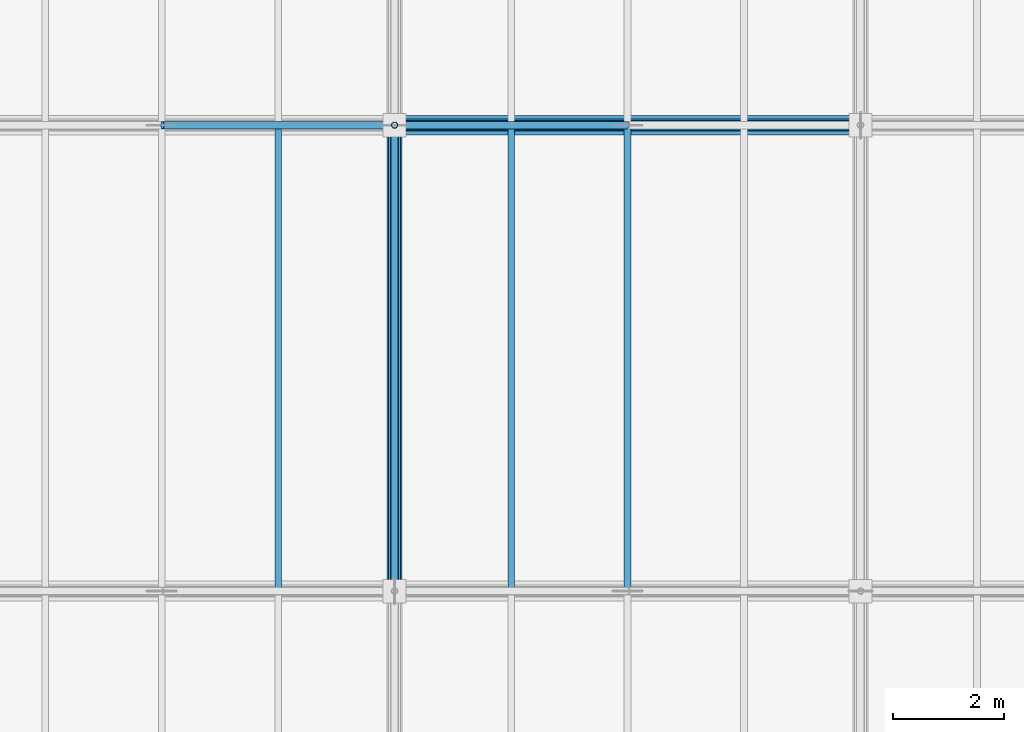
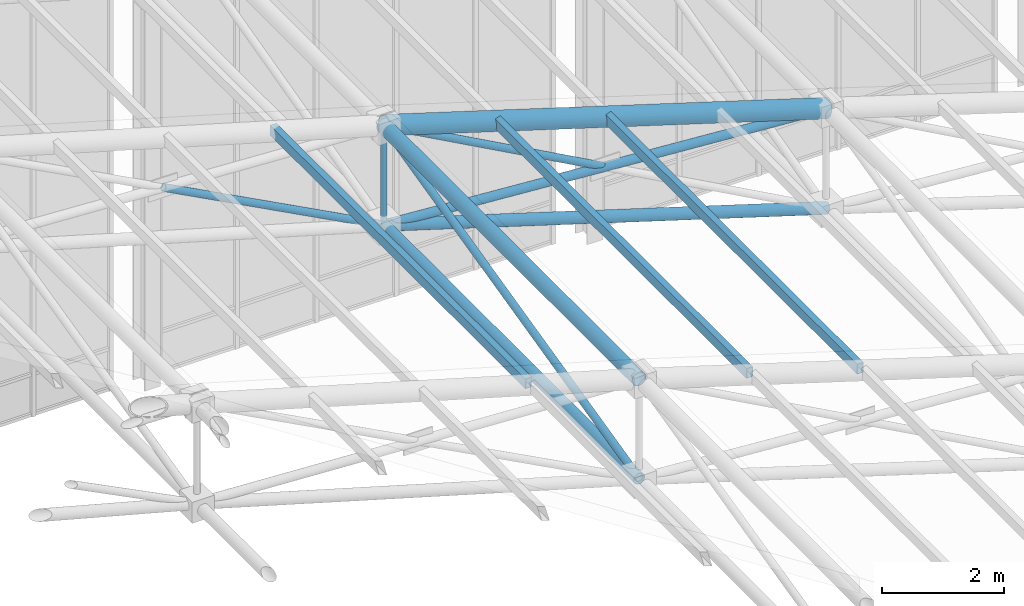
# One storey, part 78 of 144: 12 members.
"""IFC4 building model written with IfcOpenShell, lengths in metres."""

from ifc_helpers import new_model, si_unit, direction, frame, origin, origin_2d, place, context, subcontext, project, spatial, hollow_rectangle, hollow_circle, extrude, material, material_profile, profile_set, type_object, element, save


model = new_model("IFC4")

# Units and contexts
model_context = context("Model", 3, precision=1e-05, world=origin(), true_north=direction((0.0, 1.0)))
body_context = subcontext(model_context, "Body", "Model", "MODEL_VIEW")
ifc_project = project(units=[si_unit("LENGTHUNIT", "METRE"), si_unit("AREAUNIT", "SQUARE_METRE"), si_unit("VOLUMEUNIT", "CUBIC_METRE"), si_unit("PLANEANGLEUNIT", "RADIAN"), si_unit("MASSUNIT", "GRAM", prefix="KILO")], contexts=[model_context])

# Site, building, storey
site_placement = place(None, origin())
site = spatial("IfcSite", under=ifc_project, at=site_placement, CompositionType="ELEMENT")
building_placement = place(site_placement, origin())
building = spatial("IfcBuilding", under=site, at=building_placement, Name="Zayran Congress Hotel", CompositionType="ELEMENT")
storey_placement = place(building_placement, frame((0.0, 0.0, 19.199951171875)))
storey = spatial("IfcBuildingStorey", under=building, at=storey_placement, Name="L04", CompositionType="ELEMENT", Elevation=19.199951171875)

# Members
ifc_material = material(Name="Steel S355", Category="steel")
ifc_material_profile_1 = material_profile(ifc_material, hollow_circle(Radius=0.177734375, WallThickness=0.01611328125, at=origin_2d()), Name="CHS 355.6x16")
ifc_profile_set_1 = profile_set([ifc_material_profile_1], Name="Steel S355")
member_type_1 = type_object("IfcMemberType", Name="TP-SF-TC1", PredefinedType="CHORD", material=ifc_profile_set_1)
member_1_placement = place(storey_placement, frame((67.199951171875, 109.60009765625, 9.902099609375), z_axis=(0.955284210171, 0.0, -0.29568915739), x_axis=(0.0, 1.0, 0.0)))
element("IfcMember", 1, at=member_1_placement, inside=storey, type_object=member_type_1, Name="Space Frame Top Chord X 424", PredefinedType="CHORD", context=body_context, shape_type="SweptSolid", body=[
    extrude(hollow_circle(Radius=0.177734375, WallThickness=0.01611328125, at=origin_2d()), origin(), (0.0, 0.0, 1.0), 8.79345703125),
])
ifc_material_profile_2 = material_profile(ifc_material, hollow_circle(Radius=0.136474609375, WallThickness=0.012451171875, at=origin_2d()), Name="CHS 273x12.5")
ifc_profile_set_2 = profile_set([ifc_material_profile_2], Name="Steel S355")
member_type_2 = type_object("IfcMemberType", Name="TP-SF-TC2", PredefinedType="CHORD", material=ifc_profile_set_2)
member_2_placement = place(storey_placement, frame((67.199951171875, 101.199951171875, 9.902099609375), z_axis=(0.0, 1.0, 0.0), x_axis=(-1.0, 0.0, 0.0)))
element("IfcMember", 2, at=member_2_placement, inside=storey, type_object=member_type_2, Name="Space Frame Top Chord Y 420", PredefinedType="CHORD", context=body_context, shape_type="SweptSolid", body=[
    extrude(hollow_circle(Radius=0.136474609375, WallThickness=0.012451171875, at=origin_2d()), origin(), (0.0, 0.0, 1.0), 8.400146484375),
])
ifc_material_profile_3 = material_profile(ifc_material, hollow_circle(Radius=0.109619140625, WallThickness=0.010009765625, at=origin_2d()), Name="CHS 219.1x10")
ifc_profile_set_3 = profile_set([ifc_material_profile_3], Name="Steel S355")
member_type_3 = type_object("IfcMemberType", Name="TP-SF-BC1", PredefinedType="CHORD", material=ifc_profile_set_3)
member_3_placement = place(storey_placement, frame((67.199951171875, 101.199951171875, 7.900146484375), z_axis=(0.0, 1.0, 0.0), x_axis=(-1.0, 0.0, 0.0)))
element("IfcMember", 3, at=member_3_placement, inside=storey, type_object=member_type_3, Name="Space Frame Bottom Chord Y 421", PredefinedType="CHORD", context=body_context, shape_type="SweptSolid", body=[
    extrude(hollow_circle(Radius=0.109619140625, WallThickness=0.010009765625, at=origin_2d()), origin(), (0.0, 0.0, 1.0), 8.400146484375),
])
member_4_placement = place(storey_placement, frame((67.199951171875, 109.60009765625, 7.900146484375), z_axis=(0.955284210171, 0.0, -0.29568915739), x_axis=(0.0, 1.0, 0.0)))
element("IfcMember", 4, at=member_4_placement, inside=storey, type_object=member_type_3, Name="Space Frame Bottom Chord X 425", PredefinedType="CHORD", context=body_context, shape_type="SweptSolid", body=[
    extrude(hollow_circle(Radius=0.109619140625, WallThickness=0.010009765625, at=origin_2d()), origin(), (0.0, 0.0, 1.0), 8.79345703125),
])
ifc_material_profile_4 = material_profile(ifc_material, hollow_circle(Radius=0.084228515625, WallThickness=0.008056640625, at=origin_2d()), Name="CHS 168.3x8")
ifc_profile_set_4 = profile_set([ifc_material_profile_4], Name="Steel S355")
member_type_4 = type_object("IfcMemberType", Name="TP-SF-DG1", PredefinedType="BRACE", material=ifc_profile_set_4)
member_5_placement = place(storey_placement, frame((67.199951171875, 109.60009765625, 7.900146484375), z_axis=(0.997474421553, 0.0, -0.071026603098), x_axis=(0.0, 1.0, 0.0)))
element("IfcMember", 5, at=member_5_placement, inside=storey, type_object=member_type_4, Name="Space Frame Web Diagonal X 426", PredefinedType="BRACE", context=body_context, shape_type="SweptSolid", body=[
    extrude(hollow_circle(Radius=0.084228515625, WallThickness=0.008056640625, at=origin_2d()), origin(), (0.0, 0.0, 1.0), 8.42138671875),
])
ifc_material_profile_5 = material_profile(ifc_material, hollow_circle(Radius=0.06982421875, WallThickness=0.00634765625, at=origin_2d()), Name="CHS 139.7x6.3")
ifc_profile_set_5 = profile_set([ifc_material_profile_5], Name="Steel S355")
member_type_5 = type_object("IfcMemberType", Name="TP-SF-DG2", PredefinedType="BRACE", material=ifc_profile_set_5)
member_6_placement = place(storey_placement, frame((63.01318359375, 109.60009765625, 10.119140625), z_axis=(0.883572260403, 0.0, -0.468294843711), x_axis=(0.0, 1.0, 0.0)))
element("IfcMember", 6, at=member_6_placement, inside=storey, type_object=member_type_5, Name="Space Frame Counter Diagonal X Lower 60", PredefinedType="BRACE", context=body_context, shape_type="SweptSolid", body=[
    extrude(hollow_circle(Radius=0.06982421875, WallThickness=0.00634765625, at=origin_2d()), origin(), (0.0, 0.0, 1.0), 4.738525390625),
])
member_7_placement = place(storey_placement, frame((67.199951171875, 101.199951171875, 7.900146484375), z_axis=(0.0, 0.972756139537, 0.231830742122), x_axis=(-1.0, 0.0, 0.0)))
element("IfcMember", 7, at=member_7_placement, inside=storey, type_object=member_type_5, Name="Space Frame Web Diagonal Y 422", PredefinedType="BRACE", context=body_context, shape_type="SweptSolid", body=[
    extrude(hollow_circle(Radius=0.06982421875, WallThickness=0.00634765625, at=origin_2d()), origin(), (0.0, 0.0, 1.0), 8.635498046875),
])
member_8_placement = place(storey_placement, frame((67.199951171875, 109.60009765625, 9.902099609375), z_axis=(0.87699109083, 0.0, -0.480506635339), x_axis=(0.0, 1.0, 0.0)))
element("IfcMember", 8, at=member_8_placement, inside=storey, type_object=member_type_5, Name="Space Frame Counter Diagonal X Upper 427", PredefinedType="BRACE", context=body_context, shape_type="SweptSolid", body=[
    extrude(hollow_circle(Radius=0.06982421875, WallThickness=0.00634765625, at=origin_2d()), origin(), (0.0, 0.0, 1.0), 4.77392578125),
])
ifc_material_profile_6 = material_profile(ifc_material, hollow_circle(Radius=0.05712890625, WallThickness=0.00634765625, at=origin_2d()), Name="CHS 114.3x6.3")
ifc_profile_set_6 = profile_set([ifc_material_profile_6], Name="Steel S355")
member_type_6 = type_object("IfcMemberType", Name="TP-SF-DG3", PredefinedType="BRACE", material=ifc_profile_set_6)
member_9_placement = place(storey_placement, frame((67.199951171875, 109.60009765625, 7.900146484375), z_axis=(0.0, 0.0, 1.0), x_axis=(0.0, 1.0, 0.0)))
element("IfcMember", 9, at=member_9_placement, inside=storey, type_object=member_type_6, Name="Space Frame Web Strut 431", PredefinedType="BRACE", context=body_context, shape_type="SweptSolid", body=[
    extrude(hollow_circle(Radius=0.05712890625, WallThickness=0.00634765625, at=origin_2d()), origin(), (0.0, 0.0, 1.0), 2.001953125),
])
ifc_material_profile_7 = material_profile(ifc_material, hollow_rectangle(XDim=0.1201171875, YDim=0.199951171875, WallThickness=0.008056640625, at=origin_2d()), Name="RHS 200x120x8")
ifc_profile_set_7 = profile_set([ifc_material_profile_7], Name="Steel S355")
member_type_7 = type_object("IfcMemberType", Name="TP-PR-01", PredefinedType="PURLIN", material=ifc_profile_set_7)
for number, where, z_axis, x_axis, name in (
    (10, (65.10009765625, 101.199951171875, 10.556640625), (0.0, 1.0, 0.0), (-1.0, 0.0, 0.0), "MEM-PR-V1-0125"),
    (11, (69.300048828125, 101.199951171875, 9.2939453125), (0.0, 1.0, 0.0), (-1.0, 0.0, 0.0), "MEM-PR-V1-0131"),
    (12, (71.39990234375, 101.199951171875, 8.64404296875), (0.0, 1.0, 0.0), (-1.0, 0.0, 0.0), "MEM-PR-V1-0137"),
):
    element("IfcMember", number, at=place(storey_placement, frame(where, z_axis=z_axis, x_axis=x_axis)), inside=storey, type_object=member_type_7, Name=name, PredefinedType="PURLIN", context=body_context, shape_type="SweptSolid", body=[
        extrude(hollow_rectangle(XDim=0.1201171875, YDim=0.199951171875, WallThickness=0.008056640625, at=origin_2d()), origin(), (0.0, 0.0, 1.0), 8.400146484375),
    ])

save(model, "model.ifc")
